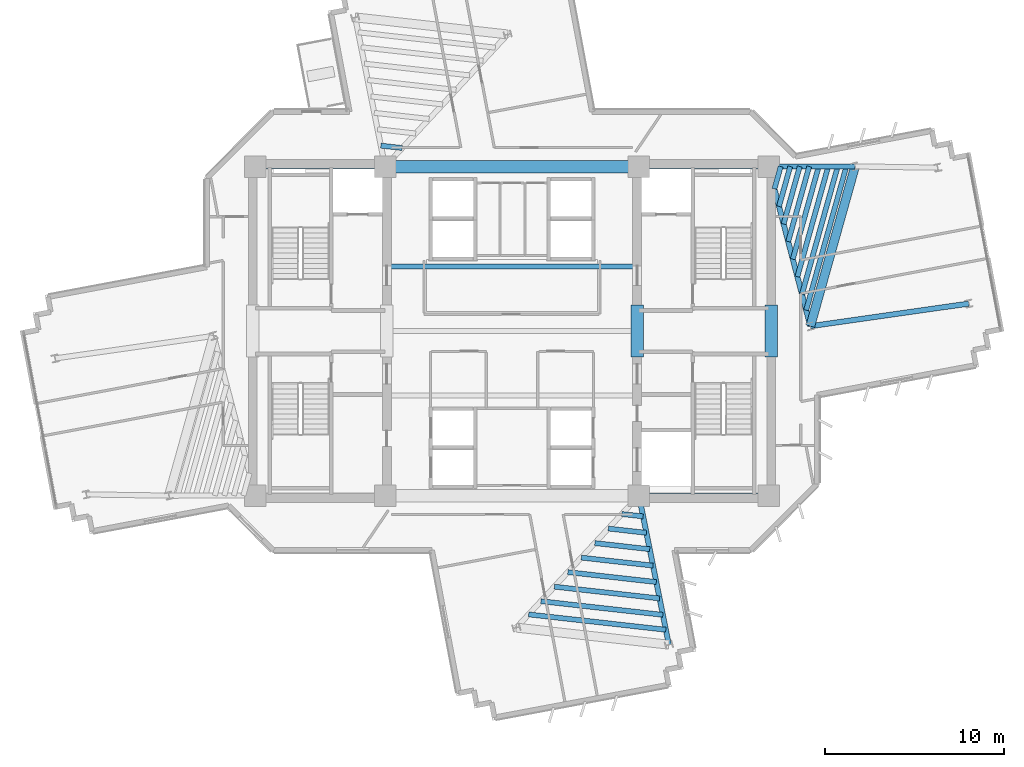
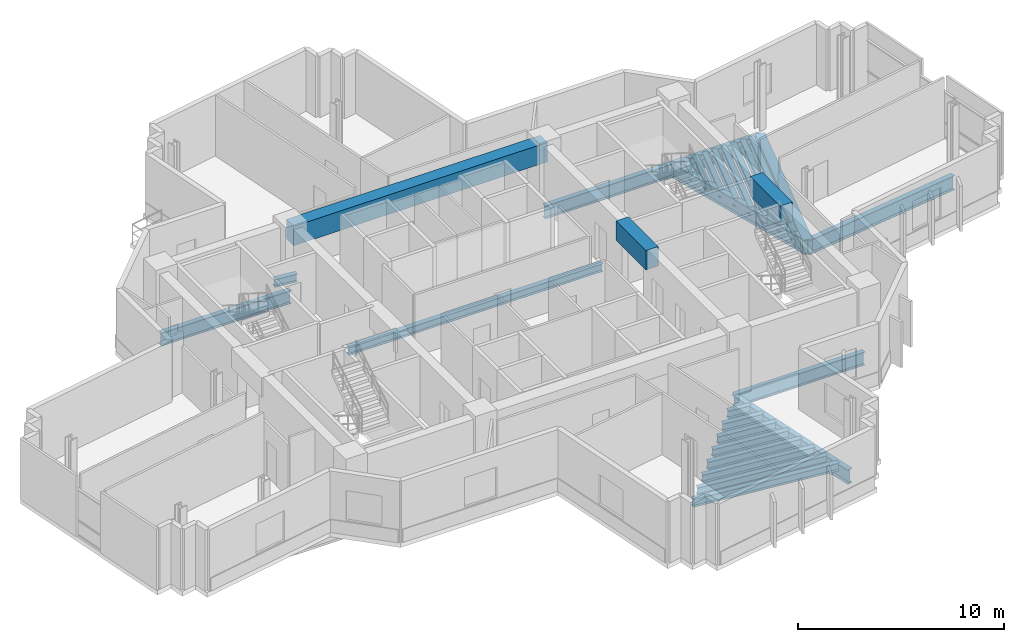
# One storey, part 5 of 16: 29 beams.
"""IFC4 building model written with IfcOpenShell, lengths in metres."""

from ifc_helpers import new_model, si_unit, direction, frame, origin, origin_2d, place, context, subcontext, project, spatial, rectangle, i_section, extrude, source, transform, mapped, material, material_profile, profile_set, type_object, element, save


model = new_model("IFC4")

# Units and contexts
model_context = context("Model", 3, precision=1e-05, world=origin(), true_north=direction((0.0, 1.0)))
body_context = subcontext(model_context, "Body", "Model", "MODEL_VIEW")
ifc_project = project(units=[si_unit("LENGTHUNIT", "METRE"), si_unit("AREAUNIT", "SQUARE_METRE"), si_unit("VOLUMEUNIT", "CUBIC_METRE"), si_unit("PLANEANGLEUNIT", "RADIAN"), si_unit("MASSUNIT", "GRAM", prefix="KILO")], contexts=[model_context])

# Site, building, storey
site_placement = place(None, origin())
site = spatial("IfcSite", under=ifc_project, at=site_placement, CompositionType="ELEMENT")
building_placement = place(site_placement, origin())
building = spatial("IfcBuilding", under=site, at=building_placement, Name="Zahravan Cultural Tower", CompositionType="ELEMENT")
storey_placement = place(building_placement, frame((0.0, 0.0, 147.300048828125)))
storey = spatial("IfcBuildingStorey", under=building, at=storey_placement, Name="L33", CompositionType="ELEMENT", Elevation=147.300048828125)

# Beams
ifc_material_1 = material(Name="Concrete C50/60", Category="concrete")
ifc_material_profile_1 = material_profile(ifc_material_1, rectangle(XDim=0.699951171875, YDim=1.14990234375, at=origin_2d()), Name="RC700X1150")
ifc_profile_set_1 = profile_set([ifc_material_profile_1], Name="Concrete C50/60")
beam_type_1 = type_object("IfcBeamType", Name="BM-LN-RC700X1150", PredefinedType="LINTEL", material=ifc_profile_set_1)
shared_shape_1 = source(origin(), body_context, "Body", "SweptSolid", [
    extrude(rectangle(XDim=0.699951171875, YDim=1.14990234375, at=origin_2d()), origin(), (0.0, 0.0, 1.0), 14.2001953125),
])
beam_1_placement = place(storey_placement, frame((28.89990234375, 36.199951171875, 3.044921875), z_axis=(1.0, 0.0, 0.0), x_axis=(0.0, 1.0, 0.0)))
element("IfcBeam", 1, at=beam_1_placement, inside=storey, type_object=beam_type_1, Name="L33 Beam LN-L33-N", PredefinedType="LINTEL", context=body_context, shape_type="MappedRepresentation", body=[
    mapped(shared_shape_1, transform((0.0, 0.0, 0.0), x_axis=(1.0, 0.0, 0.0), y_axis=(0.0, 1.0, 0.0), z_axis=(0.0, 0.0, 1.0), scale=1.0)),
])
shared_shape_2 = source(origin(), body_context, "Body", "SweptSolid", [
    extrude(rectangle(XDim=0.699951171875, YDim=1.14990234375, at=origin_2d()), origin(), (0.0, 0.0, 1.0), 2.89990234375),
])
for number, where, z_axis, x_axis, name in (
    (2, (43.0, 25.550048828125, 3.044921875), (0.0, 1.0, 0.0), (-1.0, 0.0, 0.0), "L33 Beam LN-L33-PEW"),
    (3, (50.5, 25.550048828125, 3.044921875), (0.0, 1.0, 0.0), (-1.0, 0.0, 0.0), "L33 Beam LN-L33-PEE"),
):
    element("IfcBeam", number, at=place(storey_placement, frame(where, z_axis=z_axis, x_axis=x_axis)), inside=storey, type_object=beam_type_1, Name=name, PredefinedType="LINTEL", context=body_context, shape_type="MappedRepresentation", body=[
        mapped(shared_shape_2, transform((0.0, 0.0, 0.0), x_axis=(1.0, 0.0, 0.0), y_axis=(0.0, 1.0, 0.0), z_axis=(0.0, 0.0, 1.0), scale=1.0)),
    ])
ifc_material_2 = material(Name="Steel ASTM A992 Grade 50", Category="steel")
ifc_material_profile_2 = material_profile(ifc_material_2, i_section(OverallWidth=0.26611328125, OverallDepth=0.780029296875, WebThickness=0.0166015625, FlangeThickness=0.030029296875, FilletRadius=0.01904296875, at=origin_2d()), Name="W30X148")
ifc_profile_set_2 = profile_set([ifc_material_profile_2], Name="Steel ASTM A992 Grade 50")
beam_type_2 = type_object("IfcBeamType", Name="BM-G-W30X148", PredefinedType="BEAM", material=ifc_profile_set_2)
shared_shape_3 = source(origin(), body_context, "Body", "SweptSolid", [
    extrude(i_section(OverallWidth=0.26611328125, OverallDepth=0.780029296875, WebThickness=0.0166015625, FlangeThickness=0.030029296875, FilletRadius=0.01904296875, at=origin_2d()), origin(), (0.0, 0.0, 1.0), 7.25),
])
for number, where, z_axis, x_axis, name in (
    (4, (21.64990234375, 36.199951171875, -0.670166015625), (1.0, 0.0, 0.0), (0.0, 1.0, 0.0), "L33 Beam BG-L33-02"),
    (5, (43.10009765625, 17.800048828125, -0.670166015625), (1.0, 0.0, 0.0), (0.0, 1.0, 0.0), "L33 Beam BG-L33-04"),
    (6, (43.10009765625, 36.199951171875, -0.670166015625), (1.0, 0.0, 0.0), (0.0, 1.0, 0.0), "L33 Beam BG-L33-05"),
):
    element("IfcBeam", number, at=place(storey_placement, frame(where, z_axis=z_axis, x_axis=x_axis)), inside=storey, type_object=beam_type_2, Name=name, PredefinedType="BEAM", context=body_context, shape_type="MappedRepresentation", body=[
        mapped(shared_shape_3, transform((0.0, 0.0, 0.0), x_axis=(1.0, 0.0, 0.0), y_axis=(0.0, 1.0, 0.0), z_axis=(0.0, 0.0, 1.0), scale=1.0)),
    ])
ifc_material_profile_3 = material_profile(ifc_material_1, rectangle(XDim=0.5, YDim=0.85009765625, at=origin_2d()), Name="RC500X850")
ifc_profile_set_3 = profile_set([ifc_material_profile_3], Name="Concrete C50/60")
beam_type_3 = type_object("IfcBeamType", Name="BM-SP-RC500X850", PredefinedType="SPANDREL", material=ifc_profile_set_3)
shared_shape_4 = source(origin(), body_context, "Body", "SweptSolid", [
    extrude(rectangle(XDim=0.5, YDim=0.85009765625, at=origin_2d()), origin(), (0.0, 0.0, 1.0), 9.2783203125),
])
beam_2_placement = place(storey_placement, frame((52.684326171875, 27.27099609375, -0.705078125), z_axis=(0.269497187032, 0.963001176625, 0.0), x_axis=(-0.963001176625, 0.269497187032, 0.0)))
element("IfcBeam", 7, at=beam_2_placement, inside=storey, type_object=beam_type_3, Name="L33 Beam SP-L33-21", PredefinedType="SPANDREL", context=body_context, shape_type="MappedRepresentation", body=[
    mapped(shared_shape_4, transform((0.0, 0.0, 0.0), x_axis=(1.0, 0.0, 0.0), y_axis=(0.0, 1.0, 0.0), z_axis=(0.0, 0.0, 1.0), scale=1.0)),
])
ifc_material_profile_4 = material_profile(ifc_material_2, i_section(OverallWidth=0.29296875, OverallDepth=0.845947265625, WebThickness=0.015380859375, FlangeThickness=0.0244140625, FilletRadius=0.02001953125, at=origin_2d()), Name="W33X141")
ifc_profile_set_4 = profile_set([ifc_material_profile_4], Name="Steel ASTM A992 Grade 50")
beam_type_4 = type_object("IfcBeamType", Name="BM-G-W33X141", PredefinedType="BEAM", material=ifc_profile_set_4)
shared_shape_5 = source(origin(), body_context, "Body", "SweptSolid", [
    extrude(i_section(OverallWidth=0.29296875, OverallDepth=0.845947265625, WebThickness=0.015380859375, FlangeThickness=0.0244140625, FilletRadius=0.02001953125, at=origin_2d()), origin(), (0.0, 0.0, 1.0), 9.22900390625),
])
beam_3_placement = place(storey_placement, frame((50.35009765625, 36.199951171875, -0.703125), z_axis=(0.252922608408, -0.967486513682, 0.0), x_axis=(0.967486513682, 0.252922608408, 0.0)))
element("IfcBeam", 8, at=beam_3_placement, inside=storey, type_object=beam_type_4, Name="L33 Beam BG-L33-11", PredefinedType="BEAM", context=body_context, shape_type="MappedRepresentation", body=[
    mapped(shared_shape_5, transform((0.0, 0.0, 0.0), x_axis=(1.0, 0.0, 0.0), y_axis=(0.0, 1.0, 0.0), z_axis=(0.0, 0.0, 1.0), scale=1.0)),
])
shared_shape_6 = source(origin(), body_context, "Body", "SweptSolid", [
    extrude(i_section(OverallWidth=0.29296875, OverallDepth=0.845947265625, WebThickness=0.015380859375, FlangeThickness=0.0244140625, FilletRadius=0.02001953125, at=origin_2d()), origin(), (0.0, 0.0, 1.0), 4.834716796875),
])
beam_4_placement = place(storey_placement, frame((50.35009765625, 36.199951171875, -0.703125), z_axis=(0.99999920313, 0.001262433979, 0.0), x_axis=(-0.001262433979, 0.99999920313, 0.0)))
element("IfcBeam", 9, at=beam_4_placement, inside=storey, type_object=beam_type_4, Name="L33 Beam BG-L33-12", PredefinedType="BEAM", context=body_context, shape_type="MappedRepresentation", body=[
    mapped(shared_shape_6, transform((0.0, 0.0, 0.0), x_axis=(1.0, 0.0, 0.0), y_axis=(0.0, 1.0, 0.0), z_axis=(0.0, 0.0, 1.0), scale=1.0)),
])
shared_shape_7 = source(origin(), body_context, "Body", "SweptSolid", [
    extrude(i_section(OverallWidth=0.29296875, OverallDepth=0.845947265625, WebThickness=0.015380859375, FlangeThickness=0.0244140625, FilletRadius=0.02001953125, at=origin_2d()), origin(), (0.0, 0.0, 1.0), 8.50732421875),
])
beam_5_placement = place(storey_placement, frame((43.10009765625, 17.800048828125, -0.703125), z_axis=(0.196524514012, -0.980498911469, 0.0), x_axis=(0.980498911469, 0.196524514012, 0.0)))
element("IfcBeam", 10, at=beam_5_placement, inside=storey, type_object=beam_type_4, Name="L33 Beam BG-L33-10", PredefinedType="BEAM", context=body_context, shape_type="MappedRepresentation", body=[
    mapped(shared_shape_7, transform((0.0, 0.0, 0.0), x_axis=(1.0, 0.0, 0.0), y_axis=(0.0, 1.0, 0.0), z_axis=(0.0, 0.0, 1.0), scale=1.0)),
])
shared_shape_8 = source(origin(), body_context, "Body", "SweptSolid", [
    extrude(i_section(OverallWidth=0.29296875, OverallDepth=0.845947265625, WebThickness=0.015380859375, FlangeThickness=0.0244140625, FilletRadius=0.02001953125, at=origin_2d()), origin(), (0.0, 0.0, 1.0), 8.9580078125),
])
beam_6_placement = place(storey_placement, frame((52.684326171875, 27.27099609375, -0.703125), z_axis=(0.990000122431, 0.141066500584, 0.0), x_axis=(-0.141066500584, 0.990000122431, 0.0)))
element("IfcBeam", 11, at=beam_6_placement, inside=storey, type_object=beam_type_4, Name="L33 Beam BG-L33-15", PredefinedType="BEAM", context=body_context, shape_type="MappedRepresentation", body=[
    mapped(shared_shape_8, transform((0.0, 0.0, 0.0), x_axis=(1.0, 0.0, 0.0), y_axis=(0.0, 1.0, 0.0), z_axis=(0.0, 0.0, 1.0), scale=1.0)),
])
ifc_material_profile_5 = material_profile(ifc_material_2, i_section(OverallWidth=0.280029296875, OverallDepth=0.462890625, WebThickness=0.0107421875, FlangeThickness=0.017333984375, FilletRadius=0.012939453125, at=origin_2d()), Name="W18X76")
ifc_profile_set_5 = profile_set([ifc_material_profile_5], Name="Steel ASTM A992 Grade 50")
beam_type_5 = type_object("IfcBeamType", Name="BM-J-W18X76", PredefinedType="JOIST", material=ifc_profile_set_5)
shared_shape_9 = source(origin(), body_context, "Body", "SweptSolid", [
    extrude(i_section(OverallWidth=0.280029296875, OverallDepth=0.462890625, WebThickness=0.0107421875, FlangeThickness=0.017333984375, FilletRadius=0.012939453125, at=origin_2d()), origin(), (0.0, 0.0, 1.0), 14.2001953125),
])
beam_7_placement = place(storey_placement, frame((28.89990234375, 30.60009765625, -0.511474609375), z_axis=(1.0, 0.0, 0.0), x_axis=(0.0, 1.0, 0.0)))
element("IfcBeam", 12, at=beam_7_placement, inside=storey, type_object=beam_type_5, Name="L33 Beam BJ-L33-25", PredefinedType="JOIST", context=body_context, shape_type="MappedRepresentation", body=[
    mapped(shared_shape_9, transform((0.0, 0.0, 0.0), x_axis=(1.0, 0.0, 0.0), y_axis=(0.0, 1.0, 0.0), z_axis=(0.0, 0.0, 1.0), scale=1.0)),
])
shared_shape_10 = source(origin(), body_context, "Body", "SweptSolid", [
    extrude(i_section(OverallWidth=0.280029296875, OverallDepth=0.462890625, WebThickness=0.0107421875, FlangeThickness=0.017333984375, FilletRadius=0.012939453125, at=origin_2d()), origin(), (0.0, 0.0, 1.0), 1.299072265625),
])
beam_8_placement = place(storey_placement, frame((50.6767578125, 34.949951171875, -0.511474609375), z_axis=(0.269504444708, 0.962999145525, 0.0), x_axis=(-0.962999145525, 0.269504444708, 0.0)))
element("IfcBeam", 13, at=beam_8_placement, inside=storey, type_object=beam_type_5, Name="L33 Beam BJ-L33-42", PredefinedType="JOIST", context=body_context, shape_type="MappedRepresentation", body=[
    mapped(shared_shape_10, transform((0.0, 0.0, 0.0), x_axis=(1.0, 0.0, 0.0), y_axis=(0.0, 1.0, 0.0), z_axis=(0.0, 0.0, 1.0), scale=1.0)),
])
shared_shape_11 = source(origin(), body_context, "Body", "SweptSolid", [
    extrude(i_section(OverallWidth=0.280029296875, OverallDepth=0.462890625, WebThickness=0.0107421875, FlangeThickness=0.017333984375, FilletRadius=0.012939453125, at=origin_2d()), origin(), (0.0, 0.0, 1.0), 2.3193359375),
])
beam_9_placement = place(storey_placement, frame((50.93359375, 33.9677734375, -0.511474609375), z_axis=(0.269462038626, 0.963011012263, 0.0), x_axis=(-0.963011012263, 0.269462038626, 0.0)))
element("IfcBeam", 14, at=beam_9_placement, inside=storey, type_object=beam_type_5, Name="L33 Beam BJ-L33-43", PredefinedType="JOIST", context=body_context, shape_type="MappedRepresentation", body=[
    mapped(shared_shape_11, transform((0.0, 0.0, 0.0), x_axis=(1.0, 0.0, 0.0), y_axis=(0.0, 1.0, 0.0), z_axis=(0.0, 0.0, 1.0), scale=1.0)),
])
shared_shape_12 = source(origin(), body_context, "Body", "SweptSolid", [
    extrude(i_section(OverallWidth=0.280029296875, OverallDepth=0.462890625, WebThickness=0.0107421875, FlangeThickness=0.017333984375, FilletRadius=0.012939453125, at=origin_2d()), origin(), (0.0, 0.0, 1.0), 3.340087890625),
])
beam_10_placement = place(storey_placement, frame((51.190185546875, 32.985595703125, -0.511474609375), z_axis=(0.269562146951, 0.962982995141, 0.0), x_axis=(-0.962982995141, 0.269562146951, 0.0)))
element("IfcBeam", 15, at=beam_10_placement, inside=storey, type_object=beam_type_5, Name="L33 Beam BJ-L33-44", PredefinedType="JOIST", context=body_context, shape_type="MappedRepresentation", body=[
    mapped(shared_shape_12, transform((0.0, 0.0, 0.0), x_axis=(1.0, 0.0, 0.0), y_axis=(0.0, 1.0, 0.0), z_axis=(0.0, 0.0, 1.0), scale=1.0)),
])
shared_shape_13 = source(origin(), body_context, "Body", "SweptSolid", [
    extrude(i_section(OverallWidth=0.280029296875, OverallDepth=0.462890625, WebThickness=0.0107421875, FlangeThickness=0.017333984375, FilletRadius=0.012939453125, at=origin_2d()), origin(), (0.0, 0.0, 1.0), 4.36083984375),
])
beam_11_placement = place(storey_placement, frame((51.447021484375, 32.00341796875, -0.511474609375), z_axis=(0.269511557673, 0.962997154866, 0.0), x_axis=(-0.962997154866, 0.269511557673, 0.0)))
element("IfcBeam", 16, at=beam_11_placement, inside=storey, type_object=beam_type_5, Name="L33 Beam BJ-L33-45", PredefinedType="JOIST", context=body_context, shape_type="MappedRepresentation", body=[
    mapped(shared_shape_13, transform((0.0, 0.0, 0.0), x_axis=(1.0, 0.0, 0.0), y_axis=(0.0, 1.0, 0.0), z_axis=(0.0, 0.0, 1.0), scale=1.0)),
])
shared_shape_14 = source(origin(), body_context, "Body", "SweptSolid", [
    extrude(i_section(OverallWidth=0.280029296875, OverallDepth=0.462890625, WebThickness=0.0107421875, FlangeThickness=0.017333984375, FilletRadius=0.012939453125, at=origin_2d()), origin(), (0.0, 0.0, 1.0), 5.3818359375),
])
beam_12_placement = place(storey_placement, frame((51.703857421875, 31.02099609375, -0.511474609375), z_axis=(0.269510454638, 0.962997463569, 0.0), x_axis=(-0.962997463569, 0.269510454638, 0.0)))
element("IfcBeam", 17, at=beam_12_placement, inside=storey, type_object=beam_type_5, Name="L33 Beam BJ-L33-46", PredefinedType="JOIST", context=body_context, shape_type="MappedRepresentation", body=[
    mapped(shared_shape_14, transform((0.0, 0.0, 0.0), x_axis=(1.0, 0.0, 0.0), y_axis=(0.0, 1.0, 0.0), z_axis=(0.0, 0.0, 1.0), scale=1.0)),
])
shared_shape_15 = source(origin(), body_context, "Body", "SweptSolid", [
    extrude(i_section(OverallWidth=0.280029296875, OverallDepth=0.462890625, WebThickness=0.0107421875, FlangeThickness=0.017333984375, FilletRadius=0.012939453125, at=origin_2d()), origin(), (0.0, 0.0, 1.0), 6.402099609375),
])
beam_13_placement = place(storey_placement, frame((51.960693359375, 30.038818359375, -0.511474609375), z_axis=(0.269494133533, 0.963002031146, 0.0), x_axis=(-0.963002031146, 0.269494133533, 0.0)))
element("IfcBeam", 18, at=beam_13_placement, inside=storey, type_object=beam_type_5, Name="L33 Beam BJ-L33-47", PredefinedType="JOIST", context=body_context, shape_type="MappedRepresentation", body=[
    mapped(shared_shape_15, transform((0.0, 0.0, 0.0), x_axis=(1.0, 0.0, 0.0), y_axis=(0.0, 1.0, 0.0), z_axis=(0.0, 0.0, 1.0), scale=1.0)),
])
shared_shape_16 = source(origin(), body_context, "Body", "SweptSolid", [
    extrude(i_section(OverallWidth=0.280029296875, OverallDepth=0.462890625, WebThickness=0.0107421875, FlangeThickness=0.017333984375, FilletRadius=0.012939453125, at=origin_2d()), origin(), (0.0, 0.0, 1.0), 7.4228515625),
])
beam_14_placement = place(storey_placement, frame((52.21728515625, 29.056640625, -0.511474609375), z_axis=(0.269504266128, 0.962999195503, 0.0), x_axis=(-0.962999195503, 0.269504266128, 0.0)))
element("IfcBeam", 19, at=beam_14_placement, inside=storey, type_object=beam_type_5, Name="L33 Beam BJ-L33-48", PredefinedType="JOIST", context=body_context, shape_type="MappedRepresentation", body=[
    mapped(shared_shape_16, transform((0.0, 0.0, 0.0), x_axis=(1.0, 0.0, 0.0), y_axis=(0.0, 1.0, 0.0), z_axis=(0.0, 0.0, 1.0), scale=1.0)),
])
shared_shape_17 = source(origin(), body_context, "Body", "SweptSolid", [
    extrude(i_section(OverallWidth=0.280029296875, OverallDepth=0.462890625, WebThickness=0.0107421875, FlangeThickness=0.017333984375, FilletRadius=0.012939453125, at=origin_2d()), origin(), (0.0, 0.0, 1.0), 8.350830078125),
])
beam_15_placement = place(storey_placement, frame((52.450927734375, 28.163818359375, -0.511474609375), z_axis=(0.269496539555, 0.963001357822, 0.0), x_axis=(-0.963001357822, 0.269496539555, 0.0)))
element("IfcBeam", 20, at=beam_15_placement, inside=storey, type_object=beam_type_5, Name="L33 Beam BJ-L33-49", PredefinedType="JOIST", context=body_context, shape_type="MappedRepresentation", body=[
    mapped(shared_shape_17, transform((0.0, 0.0, 0.0), x_axis=(1.0, 0.0, 0.0), y_axis=(0.0, 1.0, 0.0), z_axis=(0.0, 0.0, 1.0), scale=1.0)),
])
shared_shape_18 = source(origin(), body_context, "Body", "SweptSolid", [
    extrude(i_section(OverallWidth=0.280029296875, OverallDepth=0.462890625, WebThickness=0.0107421875, FlangeThickness=0.017333984375, FilletRadius=0.012939453125, at=origin_2d()), origin(), (0.0, 0.0, 1.0), 1.201171875),
])
for number, where, z_axis, x_axis, name in (
    (21, (42.140380859375, 16.765625, -0.511474609375), (0.99379916149, -0.111190047317, 0.0), (0.111190047317, 0.99379916149, 0.0), "L33 Beam BJ-L33-34"),
    (22, (29.859619140625, 37.234375, -0.511474609375), (-0.99379916149, 0.111190047317, 0.0), (-0.111190047317, -0.99379916149, 0.0), "L33 Beam BJ-L33-50"),
):
    element("IfcBeam", number, at=place(storey_placement, frame(where, z_axis=z_axis, x_axis=x_axis)), inside=storey, type_object=beam_type_5, Name=name, PredefinedType="JOIST", context=body_context, shape_type="MappedRepresentation", body=[
        mapped(shared_shape_18, transform((0.0, 0.0, 0.0), x_axis=(1.0, 0.0, 0.0), y_axis=(0.0, 1.0, 0.0), z_axis=(0.0, 0.0, 1.0), scale=1.0)),
    ])
shared_shape_19 = source(origin(), body_context, "Body", "SweptSolid", [
    extrude(i_section(OverallWidth=0.280029296875, OverallDepth=0.462890625, WebThickness=0.0107421875, FlangeThickness=0.017333984375, FilletRadius=0.012939453125, at=origin_2d()), origin(), (0.0, 0.0, 1.0), 2.144775390625),
])
beam_16_placement = place(storey_placement, frame((41.386474609375, 15.953125, -0.511474609375), z_axis=(0.993797370806, -0.111206051, 0.0), x_axis=(0.111206051, 0.993797370806, 0.0)))
element("IfcBeam", 23, at=beam_16_placement, inside=storey, type_object=beam_type_5, Name="L33 Beam BJ-L33-35", PredefinedType="JOIST", context=body_context, shape_type="MappedRepresentation", body=[
    mapped(shared_shape_19, transform((0.0, 0.0, 0.0), x_axis=(1.0, 0.0, 0.0), y_axis=(0.0, 1.0, 0.0), z_axis=(0.0, 0.0, 1.0), scale=1.0)),
])
shared_shape_20 = source(origin(), body_context, "Body", "SweptSolid", [
    extrude(i_section(OverallWidth=0.280029296875, OverallDepth=0.462890625, WebThickness=0.0107421875, FlangeThickness=0.017333984375, FilletRadius=0.012939453125, at=origin_2d()), origin(), (0.0, 0.0, 1.0), 3.088623046875),
])
beam_17_placement = place(storey_placement, frame((40.63232421875, 15.140380859375, -0.511474609375), z_axis=(0.993805407368, -0.111134208443, 0.0), x_axis=(0.111134208443, 0.993805407368, 0.0)))
element("IfcBeam", 24, at=beam_17_placement, inside=storey, type_object=beam_type_5, Name="L33 Beam BJ-L33-36", PredefinedType="JOIST", context=body_context, shape_type="MappedRepresentation", body=[
    mapped(shared_shape_20, transform((0.0, 0.0, 0.0), x_axis=(1.0, 0.0, 0.0), y_axis=(0.0, 1.0, 0.0), z_axis=(0.0, 0.0, 1.0), scale=1.0)),
])
shared_shape_21 = source(origin(), body_context, "Body", "SweptSolid", [
    extrude(i_section(OverallWidth=0.280029296875, OverallDepth=0.462890625, WebThickness=0.0107421875, FlangeThickness=0.017333984375, FilletRadius=0.012939453125, at=origin_2d()), origin(), (0.0, 0.0, 1.0), 4.0322265625),
])
beam_18_placement = place(storey_placement, frame((39.87841796875, 14.327880859375, -0.511474609375), z_axis=(0.993802245601, -0.11116247855, 0.0), x_axis=(0.11116247855, 0.993802245601, 0.0)))
element("IfcBeam", 25, at=beam_18_placement, inside=storey, type_object=beam_type_5, Name="L33 Beam BJ-L33-37", PredefinedType="JOIST", context=body_context, shape_type="MappedRepresentation", body=[
    mapped(shared_shape_21, transform((0.0, 0.0, 0.0), x_axis=(1.0, 0.0, 0.0), y_axis=(0.0, 1.0, 0.0), z_axis=(0.0, 0.0, 1.0), scale=1.0)),
])
shared_shape_22 = source(origin(), body_context, "Body", "SweptSolid", [
    extrude(i_section(OverallWidth=0.280029296875, OverallDepth=0.462890625, WebThickness=0.0107421875, FlangeThickness=0.017333984375, FilletRadius=0.012939453125, at=origin_2d()), origin(), (0.0, 0.0, 1.0), 4.97607421875),
])
beam_19_placement = place(storey_placement, frame((39.124267578125, 13.51513671875, -0.511474609375), z_axis=(0.993806308517, -0.111126149723, 0.0), x_axis=(0.111126149723, 0.993806308517, 0.0)))
element("IfcBeam", 26, at=beam_19_placement, inside=storey, type_object=beam_type_5, Name="L33 Beam BJ-L33-38", PredefinedType="JOIST", context=body_context, shape_type="MappedRepresentation", body=[
    mapped(shared_shape_22, transform((0.0, 0.0, 0.0), x_axis=(1.0, 0.0, 0.0), y_axis=(0.0, 1.0, 0.0), z_axis=(0.0, 0.0, 1.0), scale=1.0)),
])
shared_shape_23 = source(origin(), body_context, "Body", "SweptSolid", [
    extrude(i_section(OverallWidth=0.280029296875, OverallDepth=0.462890625, WebThickness=0.0107421875, FlangeThickness=0.017333984375, FilletRadius=0.012939453125, at=origin_2d()), origin(), (0.0, 0.0, 1.0), 5.919921875),
])
beam_20_placement = place(storey_placement, frame((38.370361328125, 12.70263671875, -0.511474609375), z_axis=(0.993804520866, -0.111142135602, 0.0), x_axis=(0.111142135602, 0.993804520866, 0.0)))
element("IfcBeam", 27, at=beam_20_placement, inside=storey, type_object=beam_type_5, Name="L33 Beam BJ-L33-39", PredefinedType="JOIST", context=body_context, shape_type="MappedRepresentation", body=[
    mapped(shared_shape_23, transform((0.0, 0.0, 0.0), x_axis=(1.0, 0.0, 0.0), y_axis=(0.0, 1.0, 0.0), z_axis=(0.0, 0.0, 1.0), scale=1.0)),
])
shared_shape_24 = source(origin(), body_context, "Body", "SweptSolid", [
    extrude(i_section(OverallWidth=0.280029296875, OverallDepth=0.462890625, WebThickness=0.0107421875, FlangeThickness=0.017333984375, FilletRadius=0.012939453125, at=origin_2d()), origin(), (0.0, 0.0, 1.0), 6.86376953125),
])
beam_21_placement = place(storey_placement, frame((37.6162109375, 11.889892578125, -0.511474609375), z_axis=(0.993803224695, -0.111153725024, 0.0), x_axis=(0.111153725024, 0.993803224695, 0.0)))
element("IfcBeam", 28, at=beam_21_placement, inside=storey, type_object=beam_type_5, Name="L33 Beam BJ-L33-40", PredefinedType="JOIST", context=body_context, shape_type="MappedRepresentation", body=[
    mapped(shared_shape_24, transform((0.0, 0.0, 0.0), x_axis=(1.0, 0.0, 0.0), y_axis=(0.0, 1.0, 0.0), z_axis=(0.0, 0.0, 1.0), scale=1.0)),
])
shared_shape_25 = source(origin(), body_context, "Body", "SweptSolid", [
    extrude(i_section(OverallWidth=0.280029296875, OverallDepth=0.462890625, WebThickness=0.0107421875, FlangeThickness=0.017333984375, FilletRadius=0.012939453125, at=origin_2d()), origin(), (0.0, 0.0, 1.0), 7.7216796875),
])
beam_22_placement = place(storey_placement, frame((36.930908203125, 11.151123046875, -0.511474609375), z_axis=(0.993805212115, -0.11113595446, 0.0), x_axis=(0.11113595446, 0.993805212115, 0.0)))
element("IfcBeam", 29, at=beam_22_placement, inside=storey, type_object=beam_type_5, Name="L33 Beam BJ-L33-41", PredefinedType="JOIST", context=body_context, shape_type="MappedRepresentation", body=[
    mapped(shared_shape_25, transform((0.0, 0.0, 0.0), x_axis=(1.0, 0.0, 0.0), y_axis=(0.0, 1.0, 0.0), z_axis=(0.0, 0.0, 1.0), scale=1.0)),
])

save(model, "model.ifc")
